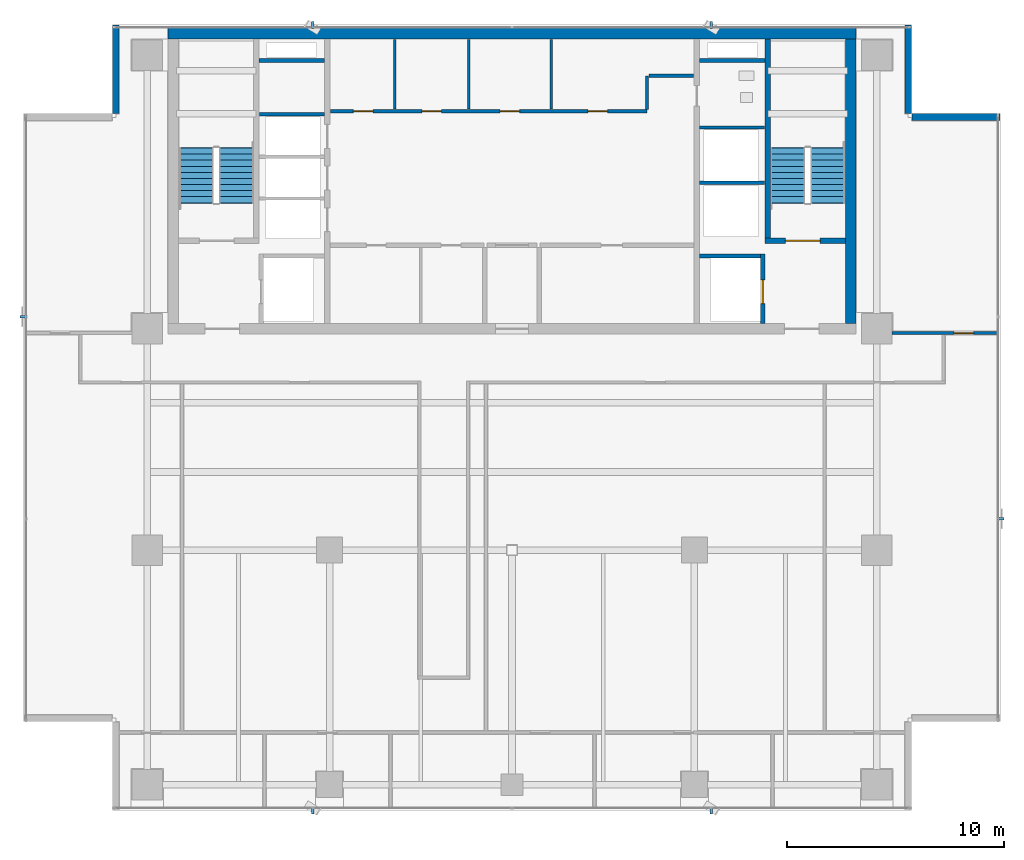
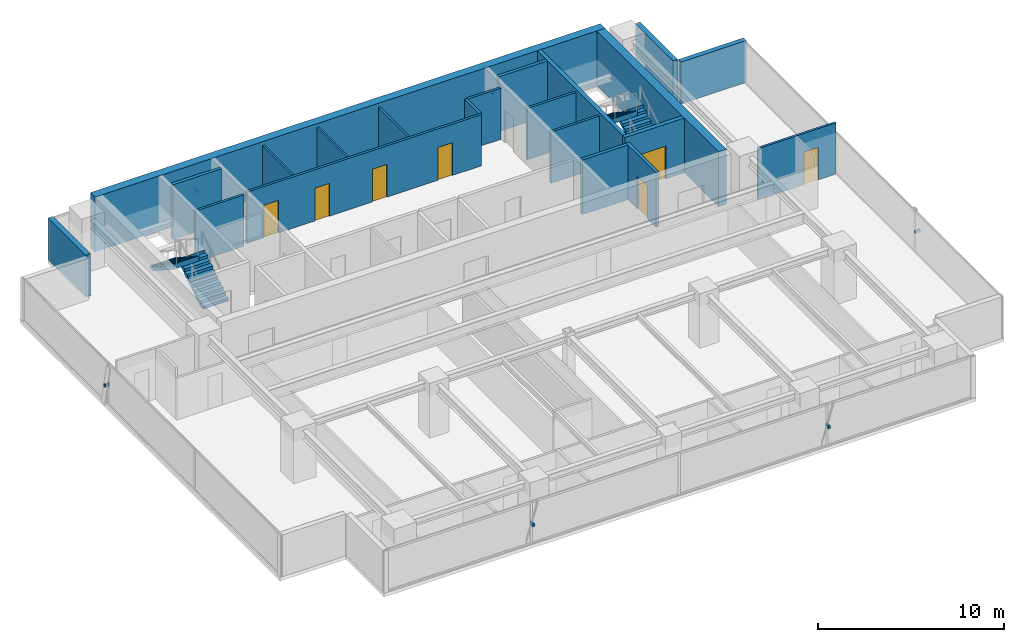
# One storey, part 21 of 26: 21 walls, 7 doors, 6 discrete accessories, 4 stair flights, 7 openings, 2 elements without a shape of their own.
"""IFC4 building model written with IfcOpenShell, lengths in metres."""

from ifc_helpers import new_model, si_unit, direction, frame, frame_2d, origin, origin_2d, place, context, subcontext, project, spatial, polyline, rectangle, outline, extrude, source, transform, mapped, material, layer, layer_set, material_profile, profile_set, type_object, element, fill, aggregate, save


model = new_model("IFC4")

# Units and contexts
model_context = context("Model", 3, precision=1e-05, world=origin(), true_north=direction((0.0, 1.0)))
body_context = subcontext(model_context, "Body", "Model", "MODEL_VIEW")
ifc_project = project(units=[si_unit("LENGTHUNIT", "METRE"), si_unit("AREAUNIT", "SQUARE_METRE"), si_unit("VOLUMEUNIT", "CUBIC_METRE"), si_unit("PLANEANGLEUNIT", "RADIAN"), si_unit("MASSUNIT", "GRAM", prefix="KILO")], contexts=[model_context])

# Site, building, storey
site_placement = place(None, origin())
site = spatial("IfcSite", under=ifc_project, at=site_placement, CompositionType="ELEMENT")
building_placement = place(site_placement, origin())
building = spatial("IfcBuilding", under=site, at=building_placement, Name="Sumidabori Civic Tower", CompositionType="ELEMENT")
storey_placement = place(building_placement, frame((0.0, 0.0, 236.0)))
storey = spatial("IfcBuildingStorey", under=building, at=storey_placement, Name="L61", CompositionType="ELEMENT", Elevation=236.0)

# Walls
ifc_material_1 = material(Name="Concrete C50/60", Category="concrete")
ifc_layer_1 = layer(ifc_material_1, 0.199951171875, Name="Concrete C50/60")
ifc_layer_set_1 = layer_set([ifc_layer_1], Name="Concrete C50/60")
wall_type_1 = type_object("IfcWallType", Name="WL-SHAFT-200", PredefinedType="SHEAR", material=ifc_layer_set_1)
shared_shape_1 = source(origin(), body_context, "Body", "SweptSolid", [
    extrude(rectangle(XDim=2.824951171875, YDim=0.199951171875, at=frame_2d((1.41259765625, 0.0))), origin(), (0.0, 0.0, 1.0), 3.60009765625),
])
wall_1_placement = place(storey_placement, frame((8.625, 13.550048828125, 0.0), z_axis=(0.0, 0.0, 1.0), x_axis=(1.0, 0.0, 0.0)))
element("IfcWall", 1, at=wall_1_placement, inside=storey, type_object=wall_type_1, Name="Core Shear Wall L61 EL2-N", PredefinedType="SHEAR", context=body_context, shape_type="MappedRepresentation", body=[
    mapped(shared_shape_1, transform((0.0, 0.0, 0.0), x_axis=(1.0, 0.0, 0.0), y_axis=(0.0, 1.0, 0.0), z_axis=(0.0, 0.0, 1.0), scale=1.0)),
])
shared_shape_2 = source(origin(), body_context, "Body", "SweptSolid", [
    extrude(rectangle(XDim=3.02001953125, YDim=0.199951171875, at=frame_2d((1.510009765625, 0.0))), origin(), (0.0, 0.0, 1.0), 3.60009765625),
])
for number, where, z_axis, x_axis, name in (
    (2, (-11.64501953125, 22.550048828125, 0.0), (0.0, 0.0, 1.0), (1.0, 0.0, 0.0), "Core Shear Wall L61 RIS1-S"),
    (3, (8.625, 22.550048828125, 0.0), (0.0, 0.0, 1.0), (1.0, 0.0, 0.0), "Core Shear Wall L61 RIS2-S"),
):
    element("IfcWall", number, at=place(storey_placement, frame(where, z_axis=z_axis, x_axis=x_axis)), inside=storey, type_object=wall_type_1, Name=name, PredefinedType="SHEAR", context=body_context, shape_type="MappedRepresentation", body=[
        mapped(shared_shape_2, transform((0.0, 0.0, 0.0), x_axis=(1.0, 0.0, 0.0), y_axis=(0.0, 1.0, 0.0), z_axis=(0.0, 0.0, 1.0), scale=1.0)),
    ])
ifc_layer_2 = layer(ifc_material_1, 0.5, Name="Concrete C50/60")
ifc_layer_set_2 = layer_set([ifc_layer_2], Name="Concrete C50/60")
wall_type_2 = type_object("IfcWallType", Name="WL-CORE-500", PredefinedType="SHEAR", material=ifc_layer_set_2)
shared_shape_3 = source(origin(), body_context, "Body", "SweptSolid", [
    extrude(rectangle(XDim=31.7001953125, YDim=0.5, at=frame_2d((15.85009765625, 0.0))), origin(), (0.0, 0.0, 1.0), 3.60009765625),
])
wall_2_placement = place(storey_placement, frame((-15.85009765625, 23.800048828125, 0.0), z_axis=(0.0, 0.0, 1.0), x_axis=(1.0, 0.0, 0.0)))
element("IfcWall", 4, at=wall_2_placement, inside=storey, type_object=wall_type_2, Name="Core Shear Wall L61 N", PredefinedType="SHEAR", context=body_context, shape_type="MappedRepresentation", body=[
    mapped(shared_shape_3, transform((0.0, 0.0, 0.0), x_axis=(1.0, 0.0, 0.0), y_axis=(0.0, 1.0, 0.0), z_axis=(0.0, 0.0, 1.0), scale=1.0)),
])
shared_shape_4 = source(origin(), body_context, "Body", "SweptSolid", [
    extrude(rectangle(XDim=13.10009765625, YDim=0.5, at=frame_2d((6.550048828125, 0.0))), origin(), (0.0, 0.0, 1.0), 3.60009765625),
])
wall_3_placement = place(storey_placement, frame((15.60009765625, 10.449951171875, 0.0), z_axis=(0.0, 0.0, 1.0), x_axis=(0.0, 1.0, 0.0)))
element("IfcWall", 5, at=wall_3_placement, inside=storey, type_object=wall_type_2, Name="Core Shear Wall L61 E", PredefinedType="SHEAR", context=body_context, shape_type="MappedRepresentation", body=[
    mapped(shared_shape_4, transform((0.0, 0.0, 0.0), x_axis=(1.0, 0.0, 0.0), y_axis=(0.0, 1.0, 0.0), z_axis=(0.0, 0.0, 1.0), scale=1.0)),
])

# Wall, opening, door
ifc_layer_3 = layer(ifc_material_1, 0.25, Name="Concrete C50/60")
ifc_layer_set_3 = layer_set([ifc_layer_3], Name="Concrete C50/60")
wall_type_3 = type_object("IfcWallType", Name="WL-SHAFT-250", PredefinedType="SHEAR", material=ifc_layer_set_3)
shared_shape_5 = source(origin(), body_context, "Body", "SweptSolid", [
    extrude(rectangle(XDim=3.705078125, YDim=0.25, at=frame_2d((1.8525390625, 0.0))), origin(), (0.0, 0.0, 1.0), 3.60009765625),
])
wall_4_placement = place(storey_placement, frame((11.64501953125, 14.25, 0.0), z_axis=(0.0, 0.0, 1.0), x_axis=(1.0, 0.0, 0.0)))
wall_4 = element("IfcWall", 6, at=wall_4_placement, inside=storey, type_object=wall_type_3, Name="Core Shear Wall L61 ST2-S", PredefinedType="SHEAR", context=body_context, shape_type="MappedRepresentation", body=[
    mapped(shared_shape_5, transform((0.0, 0.0, 0.0), x_axis=(1.0, 0.0, 0.0), y_axis=(0.0, 1.0, 0.0), z_axis=(0.0, 0.0, 1.0), scale=1.0)),
])
opening_1_placement = place(wall_4_placement, frame((0.949951171875, 0.0, 0.0)))
opening_1 = element("IfcOpeningElement", 7, at=opening_1_placement, cuts=wall_4, Name="Opening DR-FD4", PredefinedType="OPENING", context=body_context, shape_type="SweptSolid", body=[
    extrude(rectangle(XDim=1.60009765625, YDim=2.14990234375, at=frame_2d((0.800048828125, 1.074951171875))), frame((0.0, 0.136962890625, 0.0), z_axis=(0.0, -1.0, 0.0), x_axis=(1.0, 0.0, 0.0)), (0.0, 0.0, 1.0), 0.27392578125),
])
ifc_material_2 = material(Name="Steel SN490", Category="steel")
door_type_1 = type_object("IfcDoorType", Name="DR-FD4", OperationType="DOUBLE_DOOR_SINGLE_SWING", PredefinedType="DOOR", material=ifc_material_2)
shared_shape_6 = source(origin(), body_context, "Body", "SweptSolid", [
    extrude(rectangle(XDim=1.60009765625, YDim=2.14990234375, at=frame_2d((0.800048828125, 1.074951171875))), frame((0.0, 0.02490234375, 0.0), z_axis=(0.0, -1.0, 0.0), x_axis=(1.0, 0.0, 0.0)), (0.0, 0.0, 1.0), 0.050048828125),
])
door_1_placement = place(opening_1_placement, origin())
door_1 = element("IfcDoor", 8, at=door_1_placement, inside=storey, type_object=door_type_1, Name="Door DR:L61:ST2", OperationType="DOUBLE_DOOR_SINGLE_SWING", OverallHeight=2.14990234375, OverallWidth=1.60009765625, PredefinedType="DOOR", context=body_context, shape_type="MappedRepresentation", body=[
    mapped(shared_shape_6, transform((0.0, 0.0, 0.0), x_axis=(1.0, 0.0, 0.0), y_axis=(0.0, 1.0, 0.0), z_axis=(0.0, 0.0, 1.0), scale=1.0)),
])
fill(opening_1, door_1)

# Wall
shared_shape_7 = source(origin(), body_context, "Body", "SweptSolid", [
    extrude(rectangle(XDim=9.175048828125, YDim=0.25, at=frame_2d((4.58740234375, 0.0))), origin(), (0.0, 0.0, 1.0), 3.60009765625),
])
wall_5_placement = place(storey_placement, frame((11.77001953125, 14.375, 0.0), z_axis=(0.0, 0.0, 1.0), x_axis=(0.0, 1.0, 0.0)))
element("IfcWall", 9, at=wall_5_placement, inside=storey, type_object=wall_type_3, Name="Core Shear Wall L61 ST2-W", PredefinedType="SHEAR", context=body_context, shape_type="MappedRepresentation", body=[
    mapped(shared_shape_7, transform((0.0, 0.0, 0.0), x_axis=(1.0, 0.0, 0.0), y_axis=(0.0, 1.0, 0.0), z_axis=(0.0, 0.0, 1.0), scale=1.0)),
])

# Wall, opening, door
shared_shape_8 = source(origin(), body_context, "Body", "SweptSolid", [
    extrude(rectangle(XDim=3.199951171875, YDim=0.199951171875, at=frame_2d((1.60009765625, 0.0))), origin(), (0.0, 0.0, 1.0), 3.60009765625),
])
wall_6_placement = place(storey_placement, frame((11.550048828125, 10.449951171875, 0.0), z_axis=(0.0, 0.0, 1.0), x_axis=(0.0, 1.0, 0.0)))
wall_6 = element("IfcWall", 10, at=wall_6_placement, inside=storey, type_object=wall_type_1, Name="Core Shear Wall L61 EL2-E", PredefinedType="SHEAR", context=body_context, shape_type="MappedRepresentation", body=[
    mapped(shared_shape_8, transform((0.0, 0.0, 0.0), x_axis=(1.0, 0.0, 0.0), y_axis=(0.0, 1.0, 0.0), z_axis=(0.0, 0.0, 1.0), scale=1.0)),
])
opening_2_placement = place(wall_6_placement, frame((0.89990234375, 0.0, 0.0)))
opening_2 = element("IfcOpeningElement", 11, at=opening_2_placement, cuts=wall_6, Name="Opening LD-2", PredefinedType="OPENING", context=body_context, shape_type="SweptSolid", body=[
    extrude(rectangle(XDim=1.10009765625, YDim=2.14990234375, at=frame_2d((0.550048828125, 1.074951171875))), frame((0.0, 0.11181640625, 0.0), z_axis=(0.0, -1.0, 0.0), x_axis=(1.0, 0.0, 0.0)), (0.0, 0.0, 1.0), 0.223876953125),
])
ifc_material_3 = material(Name="Stainless Steel Hairline Finish", Category="steel")
door_type_2 = type_object("IfcDoorType", Name="DR-LD2", OperationType="DOUBLE_DOOR_SLIDING", PredefinedType="DOOR", material=ifc_material_3)
shared_shape_9 = source(origin(), body_context, "Body", "SweptSolid", [
    extrude(rectangle(XDim=1.10009765625, YDim=2.14990234375, at=frame_2d((0.550048828125, 1.074951171875))), frame((0.0, 0.02490234375, 0.0), z_axis=(0.0, -1.0, 0.0), x_axis=(1.0, 0.0, 0.0)), (0.0, 0.0, 1.0), 0.050048828125),
])
door_2_placement = place(opening_2_placement, origin())
door_2 = element("IfcDoor", 12, at=door_2_placement, inside=storey, type_object=door_type_2, Name="Door DR:L61:LD-EL2", OperationType="DOUBLE_DOOR_SLIDING", OverallHeight=2.14990234375, OverallWidth=1.10009765625, PredefinedType="DOOR", context=body_context, shape_type="MappedRepresentation", body=[
    mapped(shared_shape_9, transform((0.0, 0.0, 0.0), x_axis=(1.0, 0.0, 0.0), y_axis=(0.0, 1.0, 0.0), z_axis=(0.0, 0.0, 1.0), scale=1.0)),
])
fill(opening_2, door_2)

# Walls
ifc_material_4 = material(Name="Precast concrete C40/50", Category="concrete")
ifc_layer_4 = layer(ifc_material_4, 0.300048828125, Name="Precast concrete C40/50")
ifc_layer_set_4 = layer_set([ifc_layer_4], Name="Precast concrete C40/50")
wall_type_4 = type_object("IfcWallType", Name="WL-EXT-POD300", PredefinedType="STANDARD", material=ifc_layer_set_4)
shared_shape_10 = source(origin(), body_context, "Body", "SweptSolid", [
    extrude(rectangle(XDim=4.06005859375, YDim=0.300048828125, at=frame_2d((2.030029296875, 0.0))), origin(), (0.0, 0.0, 1.0), 2.75),
])
wall_7_placement = place(storey_placement, frame((22.47998046875, 19.949951171875, 0.0), z_axis=(0.0, 0.0, 1.0), x_axis=(-1.0, 0.0, 0.0)))
element("IfcWall", 13, at=wall_7_placement, inside=storey, type_object=wall_type_4, Name="Notched Corner Spandrel Band L61-05", PredefinedType="STANDARD", context=body_context, shape_type="MappedRepresentation", body=[
    mapped(shared_shape_10, transform((0.0, 0.0, 0.0), x_axis=(1.0, 0.0, 0.0), y_axis=(0.0, 1.0, 0.0), z_axis=(0.0, 0.0, 1.0), scale=1.0)),
])
shared_shape_11 = source(origin(), body_context, "Body", "SweptSolid", [
    extrude(rectangle(XDim=4.059814453125, YDim=0.300048828125, at=frame_2d((2.02978515625, 0.0))), origin(), (0.0, 0.0, 1.0), 2.75),
])
for number, where, z_axis, x_axis, name in (
    (14, (18.25, 20.1201171875, 0.0), (0.0, 0.0, 1.0), (0.0, 1.0, 0.0), "Notched Corner Spandrel Band L61-06"),
    (15, (-18.25, 24.179931640625, 0.0), (0.0, 0.0, 1.0), (0.0, -1.0, 0.0), "Notched Corner Spandrel Band L61-08"),
):
    element("IfcWall", number, at=place(storey_placement, frame(where, z_axis=z_axis, x_axis=x_axis)), inside=storey, type_object=wall_type_4, Name=name, PredefinedType="STANDARD", context=body_context, shape_type="MappedRepresentation", body=[
        mapped(shared_shape_11, transform((0.0, 0.0, 0.0), x_axis=(1.0, 0.0, 0.0), y_axis=(0.0, 1.0, 0.0), z_axis=(0.0, 0.0, 1.0), scale=1.0)),
    ])
ifc_material_5 = material(Name="Gypsum Plasterboard Acoustic Partition")
ifc_layer_5 = layer(ifc_material_5, 0.14990234375, Name="Gypsum Plasterboard Acoustic Partition")
ifc_layer_set_5 = layer_set([ifc_layer_5], Name="Gypsum Plasterboard Acoustic Partition")
wall_type_5 = type_object("IfcWallType", Name="WL-PART-150", PredefinedType="PARTITIONING", material=ifc_layer_set_5)
shared_shape_12 = source(origin(), body_context, "Body", "SweptSolid", [
    extrude(rectangle(XDim=3.010009765625, YDim=0.14990234375, at=frame_2d((1.5048828125, 0.0))), origin(), (0.0, 0.0, 1.0), 3.3701171875),
])
for number, where, z_axis, x_axis, name in (
    (16, (-11.639892578125, 20.080078125, 0.0), (0.0, 0.0, 1.0), (1.0, 0.0, 0.0), "Interior Partition WL:L61:DIV-PLH3"),
    (17, (8.6298828125, 16.919921875, 0.0), (0.0, 0.0, 1.0), (1.0, 0.0, 0.0), "Interior Partition WL:L61:DIV-OBS1"),
    (18, (8.6298828125, 19.469970703125, 0.0), (0.0, 0.0, 1.0), (1.0, 0.0, 0.0), "Interior Partition WL:L61:DIV-OBS2"),
):
    element("IfcWall", number, at=place(storey_placement, frame(where, z_axis=z_axis, x_axis=x_axis)), inside=storey, type_object=wall_type_5, Name=name, PredefinedType="PARTITIONING", context=body_context, shape_type="MappedRepresentation", body=[
        mapped(shared_shape_12, transform((0.0, 0.0, 0.0), x_axis=(1.0, 0.0, 0.0), y_axis=(0.0, 1.0, 0.0), z_axis=(0.0, 0.0, 1.0), scale=1.0)),
    ])

# Wall, openings, doors
shared_shape_13 = source(origin(), body_context, "Body", "SweptSolid", [
    extrude(rectangle(XDim=14.590087890625, YDim=0.14990234375, at=frame_2d((7.294921875, 0.0))), origin(), (0.0, 0.0, 1.0), 3.3701171875),
])
wall_8_placement = place(storey_placement, frame((-8.3701171875, 20.219970703125, 0.0), z_axis=(0.0, 0.0, 1.0), x_axis=(1.0, 0.0, 0.0)))
wall_8 = element("IfcWall", 19, at=wall_8_placement, inside=storey, type_object=wall_type_5, Name="Interior Partition WL:L61:CBAND-M", PredefinedType="PARTITIONING", context=body_context, shape_type="MappedRepresentation", body=[
    mapped(shared_shape_13, transform((0.0, 0.0, 0.0), x_axis=(1.0, 0.0, 0.0), y_axis=(0.0, 1.0, 0.0), z_axis=(0.0, 0.0, 1.0), scale=1.0)),
])
opening_3_placement = place(wall_8_placement, frame((1.06005859375, 0.0, 0.0)))
opening_3 = element("IfcOpeningElement", 20, at=opening_3_placement, cuts=wall_8, Name="Opening DR-1", PredefinedType="OPENING", context=body_context, shape_type="SweptSolid", body=[
    extrude(rectangle(XDim=0.89990234375, YDim=2.14990234375, at=frame_2d((0.449951171875, 1.074951171875))), frame((0.0, 0.0869140625, 0.0), z_axis=(0.0, -1.0, 0.0), x_axis=(1.0, 0.0, 0.0)), (0.0, 0.0, 1.0), 0.173828125),
])
opening_4_placement = place(wall_8_placement, frame((4.219970703125, 0.0, 0.0)))
opening_4 = element("IfcOpeningElement", 21, at=opening_4_placement, cuts=wall_8, Name="Opening DR-1", PredefinedType="OPENING", context=body_context, shape_type="SweptSolid", body=[
    extrude(rectangle(XDim=0.89990234375, YDim=2.14990234375, at=frame_2d((0.449951171875, 1.074951171875))), frame((0.0, 0.0869140625, 0.0), z_axis=(0.0, -1.0, 0.0), x_axis=(1.0, 0.0, 0.0)), (0.0, 0.0, 1.0), 0.173828125),
])
opening_5_placement = place(wall_8_placement, frame((7.820068359375, 0.0, 0.0)))
opening_5 = element("IfcOpeningElement", 22, at=opening_5_placement, cuts=wall_8, Name="Opening DR-1", PredefinedType="OPENING", context=body_context, shape_type="SweptSolid", body=[
    extrude(rectangle(XDim=0.89990234375, YDim=2.14990234375, at=frame_2d((0.449951171875, 1.074951171875))), frame((0.0, 0.0869140625, 0.0), z_axis=(0.0, -1.0, 0.0), x_axis=(1.0, 0.0, 0.0)), (0.0, 0.0, 1.0), 0.173828125),
])
opening_6_placement = place(wall_8_placement, frame((11.8701171875, 0.0, 0.0)))
opening_6 = element("IfcOpeningElement", 23, at=opening_6_placement, cuts=wall_8, Name="Opening DR-1", PredefinedType="OPENING", context=body_context, shape_type="SweptSolid", body=[
    extrude(rectangle(XDim=0.89990234375, YDim=2.14990234375, at=frame_2d((0.449951171875, 1.074951171875))), frame((0.0, 0.0869140625, 0.0), z_axis=(0.0, -1.0, 0.0), x_axis=(1.0, 0.0, 0.0)), (0.0, 0.0, 1.0), 0.173828125),
])
ifc_material_6 = material(Name="Japanese Hinoki Timber", Category="wood")
door_type_3 = type_object("IfcDoorType", Name="DR-INT-900", OperationType="NOTDEFINED", PredefinedType="DOOR", material=ifc_material_6)
shared_shape_14 = source(origin(), body_context, "Body", "SweptSolid", [
    extrude(rectangle(XDim=0.89990234375, YDim=2.14990234375, at=frame_2d((0.449951171875, 1.074951171875))), frame((0.0, 0.02490234375, 0.0), z_axis=(0.0, -1.0, 0.0), x_axis=(1.0, 0.0, 0.0)), (0.0, 0.0, 1.0), 0.050048828125),
])
door_3_placement = place(opening_3_placement, origin())
door_3 = element("IfcDoor", 24, at=door_3_placement, inside=storey, type_object=door_type_3, Name="Door DR:L61:CB-1", OperationType="SINGLE_SWING_LEFT", OverallHeight=2.14990234375, OverallWidth=0.89990234375, PredefinedType="DOOR", context=body_context, shape_type="MappedRepresentation", body=[
    mapped(shared_shape_14, transform((0.0, 0.0, 0.0), x_axis=(1.0, 0.0, 0.0), y_axis=(0.0, 1.0, 0.0), z_axis=(0.0, 0.0, 1.0), scale=1.0)),
])
fill(opening_3, door_3)
door_4_placement = place(opening_4_placement, origin())
door_4 = element("IfcDoor", 25, at=door_4_placement, inside=storey, type_object=door_type_3, Name="Door DR:L61:CB-2", OperationType="SINGLE_SWING_RIGHT", OverallHeight=2.14990234375, OverallWidth=0.89990234375, PredefinedType="DOOR", context=body_context, shape_type="MappedRepresentation", body=[
    mapped(shared_shape_14, transform((0.0, 0.0, 0.0), x_axis=(1.0, 0.0, 0.0), y_axis=(0.0, 1.0, 0.0), z_axis=(0.0, 0.0, 1.0), scale=1.0)),
])
fill(opening_4, door_4)
door_5_placement = place(opening_5_placement, origin())
door_5 = element("IfcDoor", 26, at=door_5_placement, inside=storey, type_object=door_type_3, Name="Door DR:L61:CB-3", OperationType="SINGLE_SWING_LEFT", OverallHeight=2.14990234375, OverallWidth=0.89990234375, PredefinedType="DOOR", context=body_context, shape_type="MappedRepresentation", body=[
    mapped(shared_shape_14, transform((0.0, 0.0, 0.0), x_axis=(1.0, 0.0, 0.0), y_axis=(0.0, 1.0, 0.0), z_axis=(0.0, 0.0, 1.0), scale=1.0)),
])
fill(opening_5, door_5)
door_6_placement = place(opening_6_placement, origin())
door_6 = element("IfcDoor", 27, at=door_6_placement, inside=storey, type_object=door_type_3, Name="Door DR:L61:CB-4", OperationType="SINGLE_SWING_RIGHT", OverallHeight=2.14990234375, OverallWidth=0.89990234375, PredefinedType="DOOR", context=body_context, shape_type="MappedRepresentation", body=[
    mapped(shared_shape_14, transform((0.0, 0.0, 0.0), x_axis=(1.0, 0.0, 0.0), y_axis=(0.0, 1.0, 0.0), z_axis=(0.0, 0.0, 1.0), scale=1.0)),
])
fill(opening_6, door_6)

# Walls
shared_shape_15 = source(origin(), body_context, "Body", "SweptSolid", [
    extrude(rectangle(XDim=1.550048828125, YDim=0.14990234375, at=frame_2d((0.77490234375, 0.0))), origin(), (0.0, 0.0, 1.0), 3.3701171875),
])
wall_9_placement = place(storey_placement, frame((6.219970703125, 20.300048828125, 0.0), z_axis=(0.0, 0.0, 1.0), x_axis=(0.0, 1.0, 0.0)))
element("IfcWall", 28, at=wall_9_placement, inside=storey, type_object=wall_type_5, Name="Interior Partition WL:L61:CBAND-ME1", PredefinedType="PARTITIONING", context=body_context, shape_type="MappedRepresentation", body=[
    mapped(shared_shape_15, transform((0.0, 0.0, 0.0), x_axis=(1.0, 0.0, 0.0), y_axis=(0.0, 1.0, 0.0), z_axis=(0.0, 0.0, 1.0), scale=1.0)),
])
shared_shape_16 = source(origin(), body_context, "Body", "SweptSolid", [
    extrude(rectangle(XDim=2.070068359375, YDim=0.14990234375, at=frame_2d((1.03515625, 0.0))), origin(), (0.0, 0.0, 1.0), 3.3701171875),
])
wall_10_placement = place(storey_placement, frame((6.300048828125, 21.85009765625, 0.0), z_axis=(0.0, 0.0, 1.0), x_axis=(1.0, 0.0, 0.0)))
element("IfcWall", 29, at=wall_10_placement, inside=storey, type_object=wall_type_5, Name="Interior Partition WL:L61:CBAND-ME2", PredefinedType="PARTITIONING", context=body_context, shape_type="MappedRepresentation", body=[
    mapped(shared_shape_16, transform((0.0, 0.0, 0.0), x_axis=(1.0, 0.0, 0.0), y_axis=(0.0, 1.0, 0.0), z_axis=(0.0, 0.0, 1.0), scale=1.0)),
])
ifc_layer_6 = layer(ifc_material_5, 0.1201171875, Name="Gypsum Plasterboard Acoustic Partition")
ifc_layer_set_6 = layer_set([ifc_layer_6], Name="Gypsum Plasterboard Acoustic Partition")
wall_type_6 = type_object("IfcWallType", Name="WL-PART-120", PredefinedType="PARTITIONING", material=ifc_layer_set_6)
shared_shape_17 = source(origin(), body_context, "Body", "SweptSolid", [
    extrude(rectangle(XDim=3.18994140625, YDim=0.1201171875, at=frame_2d((1.594970703125, 0.0))), origin(), (0.0, 0.0, 1.0), 3.3701171875),
])
for number, where, z_axis, x_axis, name in (
    (30, (-5.39990234375, 20.320068359375, 0.0), (0.0, 0.0, 1.0), (0.0, 1.0, 0.0), "Interior Partition WL:L61:LV8-S1"),
    (31, (-2.0, 20.320068359375, 0.0), (0.0, 0.0, 1.0), (0.0, 1.0, 0.0), "Interior Partition WL:L61:LV8-S2"),
    (32, (1.800048828125, 20.320068359375, 0.0), (0.0, 0.0, 1.0), (0.0, 1.0, 0.0), "Interior Partition WL:L61:LV8-S3"),
):
    element("IfcWall", number, at=place(storey_placement, frame(where, z_axis=z_axis, x_axis=x_axis)), inside=storey, type_object=wall_type_6, Name=name, PredefinedType="PARTITIONING", context=body_context, shape_type="MappedRepresentation", body=[
        mapped(shared_shape_17, transform((0.0, 0.0, 0.0), x_axis=(1.0, 0.0, 0.0), y_axis=(0.0, 1.0, 0.0), z_axis=(0.0, 0.0, 1.0), scale=1.0)),
    ])

# Wall, opening, door
ifc_layer_7 = layer(ifc_material_5, 0.135009765625, Name="Gypsum Plasterboard Acoustic Partition")
ifc_layer_set_7 = layer_set([ifc_layer_7], Name="Gypsum Plasterboard Acoustic Partition")
wall_type_7 = type_object("IfcWallType", Name="WL-PART-135", PredefinedType="PARTITIONING", material=ifc_layer_set_7)
shared_shape_18 = source(origin(), body_context, "Body", "SweptSolid", [
    extrude(rectangle(XDim=4.840087890625, YDim=0.135009765625, at=frame_2d((2.419921875, 0.0))), origin(), (0.0, 0.0, 1.0), 3.3701171875),
])
wall_11_placement = place(storey_placement, frame((17.510009765625, 10.0, 0.0), z_axis=(0.0, 0.0, 1.0), x_axis=(1.0, 0.0, 0.0)))
wall_11 = element("IfcWall", 33, at=wall_11_placement, inside=storey, type_object=wall_type_7, Name="Interior Partition WL:L61:FLK-NE", PredefinedType="PARTITIONING", context=body_context, shape_type="MappedRepresentation", body=[
    mapped(shared_shape_18, transform((0.0, 0.0, 0.0), x_axis=(1.0, 0.0, 0.0), y_axis=(0.0, 1.0, 0.0), z_axis=(0.0, 0.0, 1.0), scale=1.0)),
])
opening_7_placement = place(wall_11_placement, frame((2.85009765625, 0.0, 0.0)))
opening_7 = element("IfcOpeningElement", 34, at=opening_7_placement, cuts=wall_11, Name="Opening DR-1", PredefinedType="OPENING", context=body_context, shape_type="SweptSolid", body=[
    extrude(rectangle(XDim=0.89990234375, YDim=2.14990234375, at=frame_2d((0.449951171875, 1.074951171875))), frame((0.0, 0.07958984375, 0.0), z_axis=(0.0, -1.0, 0.0), x_axis=(1.0, 0.0, 0.0)), (0.0, 0.0, 1.0), 0.158935546875),
])
door_7_placement = place(opening_7_placement, origin())
door_7 = element("IfcDoor", 35, at=door_7_placement, inside=storey, type_object=door_type_3, Name="Door DR:L61:D06", OperationType="SINGLE_SWING_RIGHT", OverallHeight=2.14990234375, OverallWidth=0.89990234375, PredefinedType="DOOR", context=body_context, shape_type="MappedRepresentation", body=[
    mapped(shared_shape_14, transform((0.0, 0.0, 0.0), x_axis=(1.0, 0.0, 0.0), y_axis=(0.0, 1.0, 0.0), z_axis=(0.0, 0.0, 1.0), scale=1.0)),
])
fill(opening_7, door_7)

# Stair, stair flights
ifc_material_7 = material(Name="Concrete C40/50", Category="concrete")
stair_type = type_object("IfcStairType", Name="ST-CORE-1600", PredefinedType="HALF_TURN_STAIR", material=ifc_material_7)
stair_1_placement = place(storey_placement, origin())
stair_1 = element("IfcStair", 36, at=stair_1_placement, inside=storey, type_object=stair_type, Name="L61 ST-1", PredefinedType="HALF_TURN_STAIR")
stair_flight_type = type_object("IfcStairFlightType", Name="SF-CORE-1600", PredefinedType="STRAIGHT", material=ifc_material_7)
shared_shape_19 = source(origin(), body_context, "Body", "SweptSolid", [
    extrude(outline(polyline([(-0.02490234375, 0.0), (-0.02490234375, 0.0400390625), (0.0, 0.0400390625), (0.0, 0.179931640625), (0.280029296875, 0.179931640625), (0.280029296875, 0.360107421875), (0.56005859375, 0.360107421875), (0.56005859375, 0.5400390625), (0.840087890625, 0.5400390625), (0.840087890625, 0.719970703125), (1.1201171875, 0.719970703125), (1.1201171875, 0.89990234375), (1.39990234375, 0.89990234375), (1.39990234375, 1.080078125), (1.679931640625, 1.080078125), (1.679931640625, 1.260009765625), (1.9599609375, 1.260009765625), (1.9599609375, 1.43994140625), (2.239990234375, 1.43994140625), (2.239990234375, 1.6201171875), (2.52001953125, 1.6201171875), (2.52001953125, 1.800048828125), (2.544921875, 1.800048828125), (2.544921875, 1.650146484375), (2.52001953125, 1.44189453125), (0.277099609375, 0.0), (-0.02490234375, 0.0)])), frame((0.0, 0.800048828125, 0.0), z_axis=(0.0, -1.0, 0.0), x_axis=(1.0, 0.0, 0.0)), (0.0, 0.0, 1.0), 1.60009765625),
])
stair_flight_1_placement = place(storey_placement, frame((-12.699951171875, 16.0, 0.0), z_axis=(0.0, 0.0, 1.0), x_axis=(0.0, 1.0, 0.0)))
stair_flight_1 = element("IfcStairFlight", 37, at=stair_flight_1_placement, type_object=stair_flight_type, Name="ST-1 flight 1", NumberOfRisers=10, NumberOfTreads=9, PredefinedType="STRAIGHT", RiserHeight=0.18, TreadLength=0.28, context=body_context, shape_type="MappedRepresentation", body=[
    mapped(shared_shape_19, transform((0.0, 0.0, 0.0), x_axis=(1.0, 0.0, 0.0), y_axis=(0.0, 1.0, 0.0), z_axis=(0.0, 0.0, 1.0), scale=1.0)),
])
stair_flight_2_placement = place(storey_placement, frame((-14.5400390625, 18.52001953125, 1.800048828125), z_axis=(0.0, 0.0, 1.0), x_axis=(0.0, -1.0, 0.0)))
stair_flight_2 = element("IfcStairFlight", 38, at=stair_flight_2_placement, type_object=stair_flight_type, Name="ST-1 flight 2", NumberOfRisers=10, NumberOfTreads=9, PredefinedType="STRAIGHT", RiserHeight=0.18, TreadLength=0.28, context=body_context, shape_type="MappedRepresentation", body=[
    mapped(shared_shape_19, transform((0.0, 0.0, 0.0), x_axis=(1.0, 0.0, 0.0), y_axis=(0.0, 1.0, 0.0), z_axis=(0.0, 0.0, 1.0), scale=1.0)),
])
aggregate(stair_1, [stair_flight_1, stair_flight_2])

stair_2_placement = place(storey_placement, origin())
stair_2 = element("IfcStair", 39, at=stair_2_placement, inside=storey, type_object=stair_type, Name="L61 ST-2", PredefinedType="HALF_TURN_STAIR")
stair_flight_3_placement = place(storey_placement, frame((14.5400390625, 16.0, 0.0), z_axis=(0.0, 0.0, 1.0), x_axis=(0.0, 1.0, 0.0)))
stair_flight_3 = element("IfcStairFlight", 40, at=stair_flight_3_placement, type_object=stair_flight_type, Name="ST-2 flight 1", NumberOfRisers=10, NumberOfTreads=9, PredefinedType="STRAIGHT", RiserHeight=0.18, TreadLength=0.28, context=body_context, shape_type="MappedRepresentation", body=[
    mapped(shared_shape_19, transform((0.0, 0.0, 0.0), x_axis=(1.0, 0.0, 0.0), y_axis=(0.0, 1.0, 0.0), z_axis=(0.0, 0.0, 1.0), scale=1.0)),
])
stair_flight_4_placement = place(storey_placement, frame((12.699951171875, 18.52001953125, 1.800048828125), z_axis=(0.0, 0.0, 1.0), x_axis=(0.0, -1.0, 0.0)))
stair_flight_4 = element("IfcStairFlight", 41, at=stair_flight_4_placement, type_object=stair_flight_type, Name="ST-2 flight 2", NumberOfRisers=10, NumberOfTreads=9, PredefinedType="STRAIGHT", RiserHeight=0.18, TreadLength=0.28, context=body_context, shape_type="MappedRepresentation", body=[
    mapped(shared_shape_19, transform((0.0, 0.0, 0.0), x_axis=(1.0, 0.0, 0.0), y_axis=(0.0, 1.0, 0.0), z_axis=(0.0, 0.0, 1.0), scale=1.0)),
])
aggregate(stair_2, [stair_flight_3, stair_flight_4])

# Discrete accessories
ifc_material_profile = material_profile(ifc_material_3, rectangle(XDim=0.1201171875, YDim=0.179931640625, at=origin_2d()), Name="STEEL BRACKET 180x120")
ifc_profile_set = profile_set([ifc_material_profile], Name="Stainless Steel Hairline Finish")
discrete_accessory_type = type_object("IfcDiscreteAccessoryType", Name="AC-BRK-180", PredefinedType="BRACKET", material=ifc_profile_set)
shared_shape_20 = source(origin(), body_context, "Body", "SweptSolid", [
    extrude(rectangle(XDim=0.1201171875, YDim=0.179931640625, at=origin_2d()), origin(), (0.0, 0.0, 1.0), 0.329833984375),
])
for number, where, z_axis, x_axis, name in (
    (42, (-9.18505859375, -11.830078125, 1.364990234375), (0.0, -1.0, 0.0), (1.0, 0.0, 0.0), "Bronze Fin Fixing Bracket L61-01"),
    (43, (9.18505859375, -11.830078125, 1.364990234375), (0.0, -1.0, 0.0), (1.0, 0.0, 0.0), "Bronze Fin Fixing Bracket L61-03"),
    (44, (22.330078125, 1.443359375, 1.364990234375), (1.0, 0.0, 0.0), (0.0, 1.0, 0.0), "Bronze Fin Fixing Bracket L61-01"),
    (45, (-22.330078125, 10.756591796875, 1.364990234375), (-1.0, 0.0, 0.0), (0.0, -1.0, 0.0), "Bronze Fin Fixing Bracket L61-01"),
):
    element("IfcDiscreteAccessory", number, at=place(storey_placement, frame(where, z_axis=z_axis, x_axis=x_axis)), inside=storey, type_object=discrete_accessory_type, Name=name, PredefinedType="BRACKET", context=body_context, shape_type="MappedRepresentation", body=[
        mapped(shared_shape_20, transform((0.0, 0.0, 0.0), x_axis=(1.0, 0.0, 0.0), y_axis=(0.0, 1.0, 0.0), z_axis=(0.0, 0.0, 1.0), scale=1.0)),
    ])
shared_shape_21 = source(origin(), body_context, "Body", "SweptSolid", [
    extrude(rectangle(XDim=0.1201171875, YDim=0.179931640625, at=origin_2d()), origin(), (0.0, 0.0, 1.0), 0.330078125),
])
for number, where, z_axis, x_axis, name in (
    (46, (9.18505859375, 24.030029296875, 1.364990234375), (0.0, 1.0, 0.0), (-1.0, 0.0, 0.0), "Bronze Fin Fixing Bracket L61-01"),
    (47, (-9.18505859375, 24.030029296875, 1.364990234375), (0.0, 1.0, 0.0), (-1.0, 0.0, 0.0), "Bronze Fin Fixing Bracket L61-03"),
):
    element("IfcDiscreteAccessory", number, at=place(storey_placement, frame(where, z_axis=z_axis, x_axis=x_axis)), inside=storey, type_object=discrete_accessory_type, Name=name, PredefinedType="BRACKET", context=body_context, shape_type="MappedRepresentation", body=[
        mapped(shared_shape_21, transform((0.0, 0.0, 0.0), x_axis=(1.0, 0.0, 0.0), y_axis=(0.0, 1.0, 0.0), z_axis=(0.0, 0.0, 1.0), scale=1.0)),
    ])

save(model, "model.ifc")
